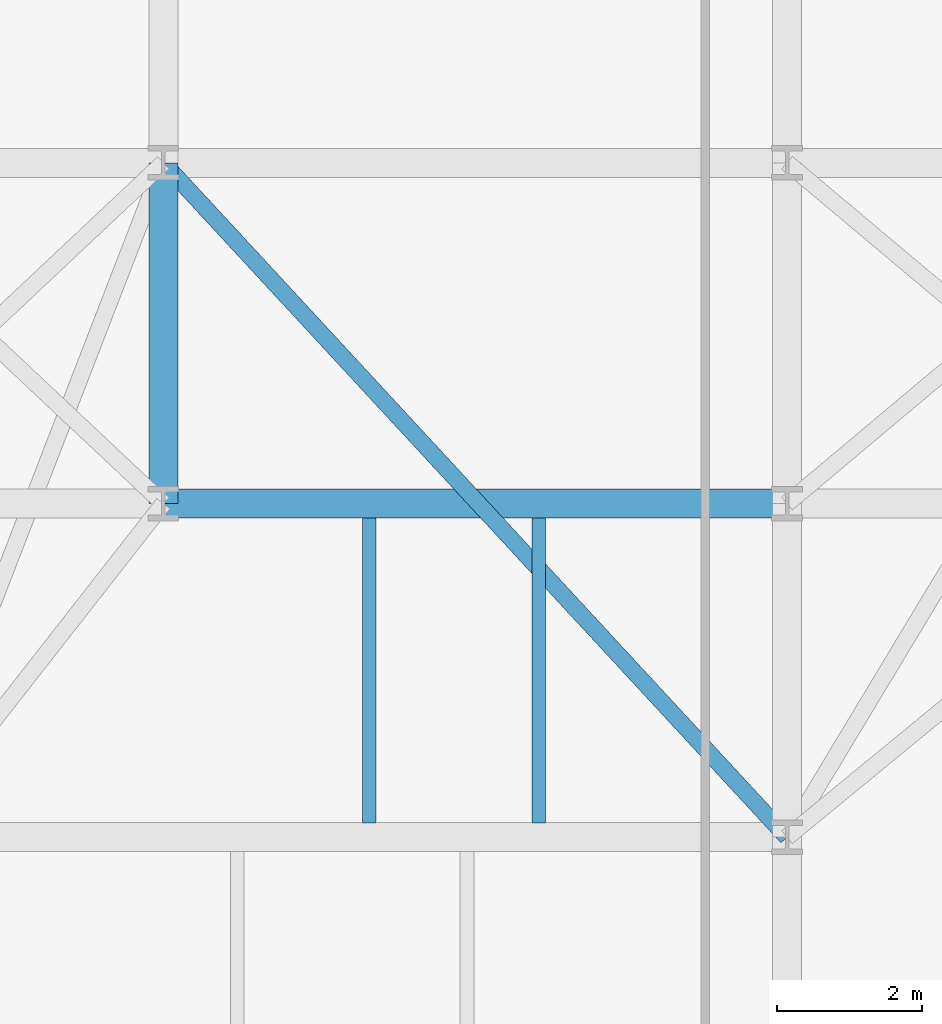
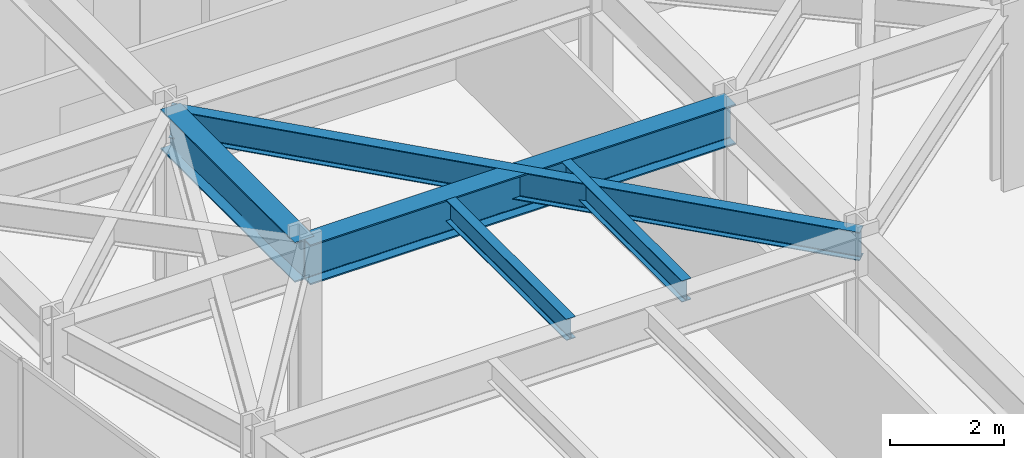
# One storey, part 10 of 26: 5 beams.
"""IFC4 building model written with IfcOpenShell, lengths in metres."""

from ifc_helpers import new_model, si_unit, direction, frame, origin, origin_2d, place, context, subcontext, project, spatial, i_section, extrude, material, material_profile, profile_set, type_object, element, save


model = new_model("IFC4")

# Units and contexts
model_context = context("Model", 3, precision=1e-05, world=origin(), true_north=direction((0.0, 1.0)))
body_context = subcontext(model_context, "Body", "Model", "MODEL_VIEW")
ifc_project = project(units=[si_unit("LENGTHUNIT", "METRE"), si_unit("AREAUNIT", "SQUARE_METRE"), si_unit("VOLUMEUNIT", "CUBIC_METRE"), si_unit("PLANEANGLEUNIT", "RADIAN"), si_unit("MASSUNIT", "GRAM", prefix="KILO")], contexts=[model_context])

# Site, building, storey
site_placement = place(None, origin())
site = spatial("IfcSite", under=ifc_project, at=site_placement, CompositionType="ELEMENT")
building_placement = place(site_placement, origin())
building = spatial("IfcBuilding", under=site, at=building_placement, Name="Kravanh Interchange Tower", CompositionType="ELEMENT")
storey_placement = place(building_placement, frame((0.0, 0.0, 120.0)))
storey = spatial("IfcBuildingStorey", under=building, at=storey_placement, Name="L28", CompositionType="ELEMENT", Elevation=120.0)

# Beams
ifc_material_1 = material(Name="Structural Steel S355", Category="steel")
ifc_material_profile_1 = material_profile(ifc_material_1, i_section(OverallWidth=0.39990234375, OverallDepth=0.85595703125, WebThickness=0.018310546875, FlangeThickness=0.029296875, FilletRadius=0.02490234375, at=origin_2d()), Name="W33X201")
ifc_profile_set_1 = profile_set([ifc_material_profile_1], Name="Structural Steel S355")
beam_type_1 = type_object("IfcBeamType", Name="Floor Beam W33X201 Structural Steel S355", PredefinedType="BEAM", material=ifc_profile_set_1)
beam_1_placement = place(storey_placement, frame((18.60009765625, 26.800048828125, 3.322021484375), z_axis=(0.0, 1.0, 0.0), x_axis=(-1.0, 0.0, 0.0)))
element("IfcBeam", 1, at=beam_1_placement, inside=storey, type_object=beam_type_1, Name="L28 Primary Floor Girder 41", PredefinedType="BEAM", context=body_context, shape_type="SweptSolid", body=[
    extrude(i_section(OverallWidth=0.39990234375, OverallDepth=0.85595703125, WebThickness=0.018310546875, FlangeThickness=0.029296875, FilletRadius=0.02490234375, at=origin_2d()), origin(), (0.0, 0.0, 1.0), 4.699951171875),
])
beam_2_placement = place(storey_placement, frame((18.60009765625, 26.800048828125, 3.322021484375), z_axis=(1.0, 0.0, 0.0), x_axis=(0.0, 1.0, 0.0)))
element("IfcBeam", 2, at=beam_2_placement, inside=storey, type_object=beam_type_1, Name="L28 Primary Floor Girder 44", PredefinedType="BEAM", context=body_context, shape_type="SweptSolid", body=[
    extrude(i_section(OverallWidth=0.39990234375, OverallDepth=0.85595703125, WebThickness=0.018310546875, FlangeThickness=0.029296875, FilletRadius=0.02490234375, at=origin_2d()), origin(), (0.0, 0.0, 1.0), 8.599853515625),
])
ifc_material_2 = material(Name="Structural Steel S355", Category="steel")
ifc_material_profile_2 = material_profile(ifc_material_2, i_section(OverallWidth=0.18994140625, OverallDepth=0.45703125, WebThickness=0.009033203125, FlangeThickness=0.014404296875, FilletRadius=0.01806640625, at=origin_2d()), Name="W18X50")
ifc_profile_set_2 = profile_set([ifc_material_profile_2], Name="Structural Steel S355")
beam_type_2 = type_object("IfcBeamType", Name="Floor Joist W18X50 Structural Steel S355", PredefinedType="JOIST", material=ifc_profile_set_2)
for number, where, z_axis, x_axis, name in (
    (3, (21.43994140625, 22.39501953125, 3.521484375), (0.0, 1.0, 0.0), (-1.0, 0.0, 0.0), "L28 Secondary Floor Joist 11"),
    (4, (23.77587890625, 22.39501953125, 3.521484375), (0.0, 1.0, 0.0), (-1.0, 0.0, 0.0), "L28 Secondary Floor Joist 12"),
):
    element("IfcBeam", number, at=place(storey_placement, frame(where, z_axis=z_axis, x_axis=x_axis)), inside=storey, type_object=beam_type_2, Name=name, PredefinedType="JOIST", context=body_context, shape_type="SweptSolid", body=[
        extrude(i_section(OverallWidth=0.18994140625, OverallDepth=0.45703125, WebThickness=0.009033203125, FlangeThickness=0.014404296875, FilletRadius=0.01806640625, at=origin_2d()), origin(), (0.0, 0.0, 1.0), 4.2099609375),
    ])
ifc_material_3 = material(Name="Structural Steel S355", Category="steel")
ifc_material_profile_3 = material_profile(ifc_material_3, i_section(OverallWidth=0.22802734375, OverallDepth=0.60791015625, WebThickness=0.01123046875, FlangeThickness=0.017333984375, FilletRadius=0.02197265625, at=origin_2d()), Name="W24X76")
ifc_profile_set_3 = profile_set([ifc_material_profile_3], Name="Structural Steel S355")
beam_type_3 = type_object("IfcBeamType", Name="Floor Spandrel W24X76 Structural Steel S355", PredefinedType="SPANDREL", material=ifc_profile_set_3)
beam_3_placement = place(storey_placement, frame((18.60009765625, 31.5, 3.446044921875), z_axis=(0.678927458783, -0.734205356634, 0.0), x_axis=(0.734205356634, 0.678927458783, 0.0)))
element("IfcBeam", 5, at=beam_3_placement, inside=storey, type_object=beam_type_3, Name="L28 Perimeter Spandrel 73", PredefinedType="SPANDREL", context=body_context, shape_type="SweptSolid", body=[
    extrude(i_section(OverallWidth=0.22802734375, OverallDepth=0.60791015625, WebThickness=0.01123046875, FlangeThickness=0.017333984375, FilletRadius=0.02197265625, at=origin_2d()), origin(), (0.0, 0.0, 1.0), 12.666748046875),
])

save(model, "model.ifc")
